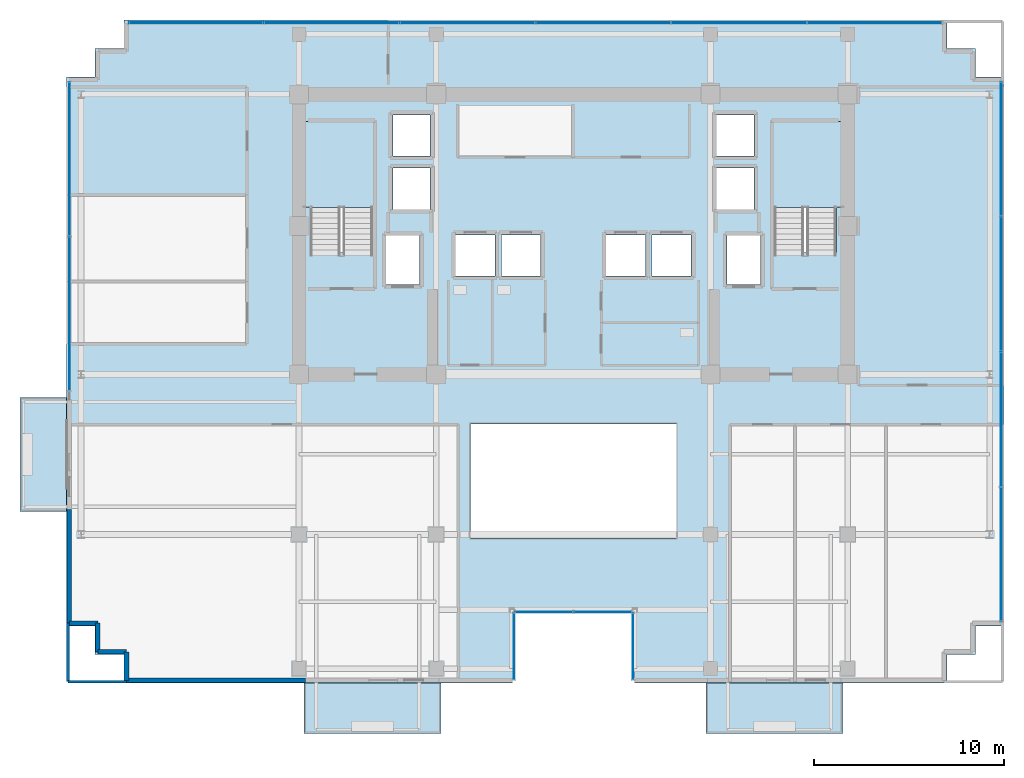
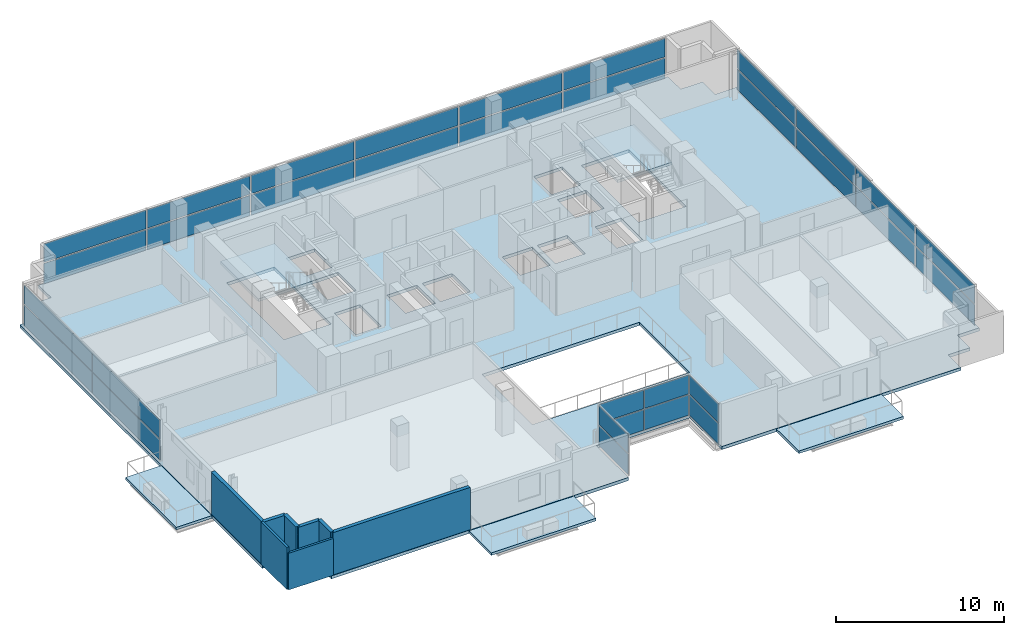
# One storey, part 13 of 21: 32 plates, 8 walls, 6 slabs, 8 elements without a shape of their own.
"""IFC4 building model written with IfcOpenShell, lengths in metres."""

import ifcopenshell
import ifcopenshell.guid

model = None  # the IFC model being written
_history = None  # IfcOwnerHistory: only IFC2X3 demands one
_inside = {}  # id of a spatial element -> (the spatial element, [elements in it])
_under = {}  # id of a project, library or spatial element -> (it, [spatial elements below it])
_declared = {}  # id of a project -> (the project, [libraries it declares])
_typed = {}  # id of a type object -> (the type object, [elements of that type])
_made_of = {}  # id of a material, layer set ... -> (it, [elements and type objects made of it])


def new_model(schema):
    """Start an empty IFC model of exactly this schema.

    Asked for "IFC4X3", IfcOpenShell would pick the latest addendum, in which some entities
    have other attributes; the version numbers below select the first issue.
    IFC2X3 requires an IfcOwnerHistory on every rooted entity: one is made here for all.
    """
    global model, _history
    if schema == "IFC4X3":
        model = ifcopenshell.file(schema_version=(4, 3, 0, 0))
    else:
        model = ifcopenshell.file(schema=schema)
    _inside.clear()
    _under.clear()
    _declared.clear()
    _typed.clear()
    _made_of.clear()
    _history = None
    if model.schema == "IFC2X3":
        org = make("IfcOrganization", Name="unknown")
        user = make(
            "IfcPersonAndOrganization",
            ThePerson=make("IfcPerson", FamilyName="unknown"),
            TheOrganization=org,
        )
        app = make(
            "IfcApplication",
            ApplicationDeveloper=org,
            Version="unknown",
            ApplicationFullName="unknown",
            ApplicationIdentifier="unknown",
        )
        _history = make(
            "IfcOwnerHistory",
            OwningUser=user,
            OwningApplication=app,
            ChangeAction="ADDED",
            CreationDate=0,
        )
    return model


def make(cls, **values):
    """One entity of the class cls with the attributes given. An attribute that is None is left unset."""
    return model.create_entity(
        cls, **{name: value for name, value in values.items() if value is not None}
    )


def rooted(cls, **values):
    """An entity with a GlobalId (a new one), such as an element, a storey or a relation."""
    return make(cls, GlobalId=ifcopenshell.guid.new(), OwnerHistory=_history, **values)


def si_unit(unit_type, name, prefix=None):
    """IfcSIUnit, for example si_unit("LENGTHUNIT", "METRE", prefix="MILLI")."""
    return make("IfcSIUnit", UnitType=unit_type, Prefix=prefix, Name=name)


def assignment(units):
    """IfcUnitAssignment: the units of a project."""
    return None if units is None else make("IfcUnitAssignment", Units=units)


def point(xyz):
    """IfcCartesianPoint."""
    return None if xyz is None else make("IfcCartesianPoint", Coordinates=xyz)


def direction(xyz):
    """IfcDirection."""
    return None if xyz is None else make("IfcDirection", DirectionRatios=xyz)


def frame(location, z_axis=None, x_axis=None):
    """IfcAxis2Placement3D, a coordinate frame: its origin and axes. An axis left out is left unset."""
    return make(
        "IfcAxis2Placement3D",
        Location=point(location),
        Axis=direction(z_axis),
        RefDirection=direction(x_axis),
    )


def frame_2d(location, x_axis=None):
    """IfcAxis2Placement2D, a coordinate frame in the plane: its origin and x axis."""
    return make(
        "IfcAxis2Placement2D", Location=point(location), RefDirection=direction(x_axis)
    )


def origin():
    """The frame at (0, 0, 0) with its axes left unset."""
    return frame((0.0, 0.0, 0.0))


def origin_2d():
    """The frame at (0, 0) in the plane with its x axis left unset."""
    return frame_2d((0.0, 0.0))


def place(relative_to, where):
    """IfcLocalPlacement: puts the frame where relative to a parent placement (None: the world)."""
    return make(
        "IfcLocalPlacement", PlacementRelTo=relative_to, RelativePlacement=where
    )


def context(
    kind, dimensions, precision=None, world=None, true_north=None, identifier=None
):
    """IfcGeometricRepresentationContext, for example the 3D "Model" context."""
    return make(
        "IfcGeometricRepresentationContext",
        ContextIdentifier=identifier,
        ContextType=kind,
        CoordinateSpaceDimension=dimensions,
        Precision=precision,
        WorldCoordinateSystem=world,
        TrueNorth=true_north,
    )


def subcontext(parent, identifier, kind, view, scale=None):
    """IfcGeometricRepresentationSubContext, for example "Body" below "Model"."""
    return make(
        "IfcGeometricRepresentationSubContext",
        ContextIdentifier=identifier,
        ContextType=kind,
        ParentContext=parent,
        TargetScale=scale,
        TargetView=view,
    )


def project(units=None, contexts=None):
    """IfcProject with its units and contexts."""
    return rooted(
        "IfcProject",
        Name="project",
        RepresentationContexts=contexts,
        UnitsInContext=assignment(units),
    )


def spatial(cls, under=None, at=None, **own):
    """A site, building, storey or space (cls), placed at a placement, below another one or the project."""
    s = rooted(cls, ObjectPlacement=at, **own)
    if under is not None:
        _under.setdefault(under.id(), (under, []))[1].append(s)
    return s


def polyline(points):
    """IfcPolyline through the points."""
    return make("IfcPolyline", Points=[point(p) for p in points])


def profile(cls, at=None, kind="AREA", **sizes):
    """A parametric profile (cls). Its sizes go by their IFC names, for example OverallWidth=200.0."""
    return make(cls, ProfileType=kind, Position=at, **sizes)


def rectangle(**sizes):
    """IfcRectangleProfileDef."""
    return profile("IfcRectangleProfileDef", **sizes)


def outline(outer, holes=None, kind="AREA"):
    """IfcArbitraryClosedProfileDef: a profile drawn as a closed curve; with holes, ...WithVoids."""
    if holes is None:
        return make("IfcArbitraryClosedProfileDef", ProfileType=kind, OuterCurve=outer)
    return make(
        "IfcArbitraryProfileDefWithVoids",
        ProfileType=kind,
        OuterCurve=outer,
        InnerCurves=holes,
    )


def extrude(swept, where, along, depth):
    """IfcExtrudedAreaSolid: the profile swept, set in the frame where, extruded along a direction by depth."""
    return make(
        "IfcExtrudedAreaSolid",
        SweptArea=swept,
        Position=where,
        ExtrudedDirection=direction(along),
        Depth=depth,
    )


def shape(context_of_items, identifier, shape_type, items):
    """IfcShapeRepresentation: the items that make up one representation, for example the "Body"."""
    return make(
        "IfcShapeRepresentation",
        ContextOfItems=context_of_items,
        RepresentationIdentifier=identifier,
        RepresentationType=shape_type,
        Items=items,
    )


def source(mapping_origin, context_of_items, identifier, shape_type, items):
    """IfcRepresentationMap: a shape defined once, which mapped items show again and again."""
    return make(
        "IfcRepresentationMap",
        MappingOrigin=mapping_origin,
        MappedRepresentation=shape(context_of_items, identifier, shape_type, items),
    )


def transform(
    local_origin,
    x_axis=None,
    y_axis=None,
    z_axis=None,
    scale=None,
    scale2=None,
    scale3=None,
    uniform=True,
):
    """IfcCartesianTransformationOperator3D, or its non-uniform kind. x_axis, y_axis, z_axis: its Axis1, 2, 3."""
    if uniform:
        return make(
            "IfcCartesianTransformationOperator3D",
            Axis1=direction(x_axis),
            Axis2=direction(y_axis),
            LocalOrigin=point(local_origin),
            Scale=scale,
            Axis3=direction(z_axis),
        )
    return make(
        "IfcCartesianTransformationOperator3DnonUniform",
        Axis1=direction(x_axis),
        Axis2=direction(y_axis),
        LocalOrigin=point(local_origin),
        Scale=scale,
        Axis3=direction(z_axis),
        Scale2=scale2,
        Scale3=scale3,
    )


def mapped(mapping_source, mapping_target):
    """IfcMappedItem: shows the shape of a source again, moved by a transform."""
    return make(
        "IfcMappedItem", MappingSource=mapping_source, MappingTarget=mapping_target
    )


def material(Name=None, Category=None):
    """IfcMaterial."""
    return make("IfcMaterial", Name=Name, Category=Category)


def layer(
    of_material, thickness, ventilated=None, Name=None, Category=None, Priority=None
):
    """IfcMaterialLayer: one layer of a wall or slab, of a material (None: an air gap)."""
    return make(
        "IfcMaterialLayer",
        Material=of_material,
        LayerThickness=thickness,
        IsVentilated=ventilated,
        Name=Name,
        Category=Category,
        Priority=Priority,
    )


def layer_set(layers, Name=None):
    """IfcMaterialLayerSet."""
    return make("IfcMaterialLayerSet", MaterialLayers=layers, LayerSetName=Name)


def made_of(thing, what):
    """Note that an element or type object is made of a material, layer set ...; save() writes the relation."""
    if what is not None:
        _made_of.setdefault(what.id(), (what, []))[1].append(thing)
    return thing


def type_object(cls, material=None, **own):
    """A type object (cls), such as IfcWallType, which elements share."""
    return made_of(rooted(cls, **own), material)


def element(
    cls,
    number,
    at=None,
    inside=None,
    cuts=None,
    type_object=None,
    material=None,
    context=None,
    identifier="Body",
    shape_type=None,
    held_by="IfcProductDefinitionShape",
    body=None,
    shapes=None,
    **own,
):
    """One element of the class cls, such as IfcWall. Its Tag is "e" and its number.

    at: its placement. inside: the storey or other place that contains it. cuts: it is an
    opening in that element (IfcRelVoidsElement). A single representation is given by context,
    identifier, shape_type and body (its items); several are given by shapes. held_by: the class
    of the entity that holds the representations. save() writes the other relations.
    """
    e = rooted(cls, Tag="e%d" % number, ObjectPlacement=at, **own)
    if body is not None:
        shapes = [shape(context, identifier, shape_type, body)]
    if shapes is not None:
        e.Representation = make(held_by, Representations=shapes)
    if inside is not None:
        _inside.setdefault(inside.id(), (inside, []))[1].append(e)
    if cuts is not None:
        rooted(
            "IfcRelVoidsElement", RelatingBuildingElement=cuts, RelatedOpeningElement=e
        )
    if type_object is not None:
        _typed.setdefault(type_object.id(), (type_object, []))[1].append(e)
    return made_of(e, material)


def aggregate(whole, parts):
    """IfcRelAggregates: a whole, such as a stair, and the parts it consists of."""
    return rooted("IfcRelAggregates", RelatingObject=whole, RelatedObjects=parts)


def save(model, path):
    """Write the relations noted so far, then the file.

    IfcRelAggregates (storeys below a building ...), IfcRelContainedInSpatialStructure (elements
    in a storey), IfcRelDefinesByType, IfcRelAssociatesMaterial and IfcRelDeclares: one each for
    every whole, place, type object, material and project.
    """
    for whole, parts in _under.values():
        aggregate(whole, parts)
    for where, things in _inside.values():
        rooted(
            "IfcRelContainedInSpatialStructure",
            RelatedElements=things,
            RelatingStructure=where,
        )
    for kind, things in _typed.values():
        rooted("IfcRelDefinesByType", RelatedObjects=things, RelatingType=kind)
    for what, things in _made_of.values():
        rooted("IfcRelAssociatesMaterial", RelatedObjects=things, RelatingMaterial=what)
    for by, libraries in _declared.values():
        rooted("IfcRelDeclares", RelatingContext=by, RelatedDefinitions=libraries)
    model.write(path)


model = new_model("IFC4")

# Units and contexts
model_context = context("Model", 3, precision=1e-05, world=origin(), true_north=direction((0.0, 1.0)))
body_context = subcontext(model_context, "Body", "Model", "MODEL_VIEW")
ifc_project = project(units=[si_unit("LENGTHUNIT", "METRE"), si_unit("AREAUNIT", "SQUARE_METRE"), si_unit("VOLUMEUNIT", "CUBIC_METRE"), si_unit("PLANEANGLEUNIT", "RADIAN"), si_unit("MASSUNIT", "GRAM", prefix="KILO")], contexts=[model_context])

# Site, building, storey
site_placement = place(None, origin())
site = spatial("IfcSite", under=ifc_project, at=site_placement, CompositionType="ELEMENT")
building_placement = place(site_placement, origin())
building = spatial("IfcBuilding", under=site, at=building_placement, Name="Zarnakvel Exchange Tower", CompositionType="ELEMENT")
storey_placement = place(building_placement, frame((0.0, 0.0, 159.39990234375)))
storey = spatial("IfcBuildingStorey", under=building, at=storey_placement, Name="L44", CompositionType="ELEMENT", Elevation=159.39990234375)

# Stair, slab
ifc_material_1 = material(Name="Concrete C40/50", Category="concrete")
stair_type = type_object("IfcStairType", Name="STR-01", PredefinedType="HALF_TURN_STAIR", material=ifc_material_1)
stair_1_placement = place(storey_placement, origin())
stair_1 = element("IfcStair", 1, at=stair_1_placement, inside=storey, type_object=stair_type, Name="L44 Protected Core Exit Stair ST-01", PredefinedType="HALF_TURN_STAIR")
ifc_layer_1 = layer(ifc_material_1, 0.199951171875)
ifc_layer_set_1 = layer_set([ifc_layer_1], Name="Concrete C40/50")
slab_type_1 = type_object("IfcSlabType", Name="LDG-01", PredefinedType="LANDING", material=ifc_layer_set_1)
slab_1_placement = place(storey_placement, frame((0.0, 0.0, 1.4501953125)))
slab_1 = element("IfcSlab", 2, at=slab_1_placement, type_object=slab_type_1, Name="ST-01 landing 1", PredefinedType="LANDING", context=body_context, shape_type="SweptSolid", body=[
    extrude(outline(polyline([(-14.18994140625, 7.570068359375), (-10.4599609375, 7.570068359375), (-10.4599609375, 12.080078125), (-14.18994140625, 12.080078125), (-14.18994140625, 7.570068359375)])), origin(), (0.0, 0.0, 1.0), 0.199951171875),
])
aggregate(stair_1, [slab_1])

stair_2_placement = place(storey_placement, origin())
stair_2 = element("IfcStair", 3, at=stair_2_placement, inside=storey, type_object=stair_type, Name="L44 Protected Core Exit Stair ST-02", PredefinedType="HALF_TURN_STAIR")
slab_2_placement = place(storey_placement, frame((0.0, 0.0, 1.4501953125)))
slab_2 = element("IfcSlab", 4, at=slab_2_placement, type_object=slab_type_1, Name="ST-02 landing 1", PredefinedType="LANDING", context=body_context, shape_type="SweptSolid", body=[
    extrude(outline(polyline([(10.4599609375, 7.570068359375), (14.18994140625, 7.570068359375), (14.18994140625, 12.080078125), (10.4599609375, 12.080078125), (10.4599609375, 7.570068359375)])), origin(), (0.0, 0.0, 1.0), 0.199951171875),
])
aggregate(stair_2, [slab_2])

# Slabs
ifc_layer_2 = layer(ifc_material_1, 0.22509765625)
ifc_layer_set_2 = layer_set([ifc_layer_2], Name="Concrete C40/50")
slab_type_2 = type_object("IfcSlabType", Name="SL-04", PredefinedType="FLOOR", material=ifc_layer_set_2)
slab_3_placement = place(storey_placement, frame((0.0, 0.0, -0.224853515625)))
element("IfcSlab", 5, at=slab_3_placement, inside=storey, type_object=slab_type_2, Name="L44 Primary Structural Floor Slab", PredefinedType="FLOOR", context=body_context, shape_type="SweptSolid", body=[
    extrude(outline(polyline([(-26.60009765625, -14.39990234375), (-25.10009765625, -14.39990234375), (-25.10009765625, -15.89990234375), (-23.60009765625, -15.89990234375), (-23.60009765625, -17.39990234375), (-3.199951171875, -17.39990234375), (-3.199951171875, -13.60009765625), (3.199951171875, -13.60009765625), (3.199951171875, -17.39990234375), (19.60009765625, -17.39990234375), (19.60009765625, -15.89990234375), (21.10009765625, -15.89990234375), (21.10009765625, -14.39990234375), (22.60009765625, -14.39990234375), (22.60009765625, 14.39990234375), (21.10009765625, 14.39990234375), (21.10009765625, 15.89990234375), (19.60009765625, 15.89990234375), (19.60009765625, 17.39990234375), (-23.60009765625, 17.39990234375), (-23.60009765625, 15.89990234375), (-25.10009765625, 15.89990234375), (-25.10009765625, 14.39990234375), (-26.60009765625, 14.39990234375), (-26.60009765625, -14.39990234375)]), holes=[polyline([(-5.39990234375, -9.800048828125), (5.39990234375, -9.800048828125), (5.39990234375, -3.800048828125), (-5.39990234375, -3.800048828125), (-5.39990234375, -9.800048828125)]), polyline([(-13.800048828125, 5.2099609375), (-10.5400390625, 5.2099609375), (-10.5400390625, 12.0), (-13.800048828125, 12.0), (-13.800048828125, 5.2099609375)]), polyline([(10.5400390625, 5.2099609375), (13.800048828125, 5.2099609375), (13.800048828125, 12.0), (10.5400390625, 12.0), (10.5400390625, 5.2099609375)]), polyline([(-9.830078125, 3.52001953125), (-8.070068359375, 3.52001953125), (-8.070068359375, 6.080078125), (-9.830078125, 6.080078125), (-9.830078125, 3.52001953125)]), polyline([(8.070068359375, 3.52001953125), (9.830078125, 3.52001953125), (9.830078125, 6.080078125), (8.070068359375, 6.080078125), (8.070068359375, 3.52001953125)]), polyline([(-6.179931640625, 3.969970703125), (-4.1201171875, 3.969970703125), (-4.1201171875, 6.1298828125), (-6.179931640625, 6.1298828125), (-6.179931640625, 3.969970703125)]), polyline([(-3.780029296875, 3.969970703125), (-1.719970703125, 3.969970703125), (-1.719970703125, 6.1298828125), (-3.780029296875, 6.1298828125), (-3.780029296875, 3.969970703125)]), polyline([(1.719970703125, 3.969970703125), (3.780029296875, 3.969970703125), (3.780029296875, 6.1298828125), (1.719970703125, 6.1298828125), (1.719970703125, 3.969970703125)]), polyline([(4.1201171875, 3.969970703125), (6.179931640625, 3.969970703125), (6.179931640625, 6.1298828125), (4.1201171875, 6.1298828125), (4.1201171875, 3.969970703125)]), polyline([(-9.47998046875, 7.469970703125), (-7.52001953125, 7.469970703125), (-7.52001953125, 9.6298828125), (-9.47998046875, 9.6298828125), (-9.47998046875, 7.469970703125)]), polyline([(-9.47998046875, 10.27001953125), (-7.52001953125, 10.27001953125), (-7.52001953125, 12.429931640625), (-9.47998046875, 12.429931640625), (-9.47998046875, 10.27001953125)]), polyline([(7.52001953125, 7.469970703125), (9.47998046875, 7.469970703125), (9.47998046875, 9.6298828125), (7.52001953125, 9.6298828125), (7.52001953125, 7.469970703125)]), polyline([(7.52001953125, 10.27001953125), (9.47998046875, 10.27001953125), (9.47998046875, 12.429931640625), (7.52001953125, 12.429931640625), (7.52001953125, 10.27001953125)])]), origin(), (0.0, 0.0, 1.0), 0.224853515625),
])
ifc_layer_3 = layer(ifc_material_1, 0.18994140625)
ifc_layer_set_3 = layer_set([ifc_layer_3], Name="Concrete C40/50")
slab_type_3 = type_object("IfcSlabType", Name="SL-08", PredefinedType="USERDEFINED", material=ifc_layer_set_3)
slab_4_placement = place(storey_placement, frame((0.0, 0.0, -0.224853515625)))
element("IfcSlab", 6, at=slab_4_placement, inside=storey, type_object=slab_type_3, Name="L44 Planted Loggia Balcony Slab BAL-L44-SW", ObjectType="BALCONY", PredefinedType="USERDEFINED", context=body_context, shape_type="SweptSolid", body=[
    extrude(outline(polyline([(-14.14990234375, -20.050048828125), (-6.949951171875, -20.050048828125), (-6.949951171875, -17.39990234375), (-14.14990234375, -17.39990234375), (-14.14990234375, -20.050048828125)])), origin(), (0.0, 0.0, 1.0), 0.18994140625),
])
slab_5_placement = place(storey_placement, frame((0.0, 0.0, -0.224853515625)))
element("IfcSlab", 7, at=slab_5_placement, inside=storey, type_object=slab_type_3, Name="L44 Planted Loggia Balcony Slab BAL-L44-SE", ObjectType="BALCONY", PredefinedType="USERDEFINED", context=body_context, shape_type="SweptSolid", body=[
    extrude(outline(polyline([(6.949951171875, -20.050048828125), (14.14990234375, -20.050048828125), (14.14990234375, -17.39990234375), (6.949951171875, -17.39990234375), (6.949951171875, -20.050048828125)])), origin(), (0.0, 0.0, 1.0), 0.18994140625),
])
slab_6_placement = place(storey_placement, frame((0.0, 0.0, -0.224853515625)))
element("IfcSlab", 8, at=slab_6_placement, inside=storey, type_object=slab_type_3, Name="L44 Planted Loggia Balcony Slab BAL-L44-W", ObjectType="BALCONY", PredefinedType="USERDEFINED", context=body_context, shape_type="SweptSolid", body=[
    extrude(outline(polyline([(-29.050048828125, -8.39990234375), (-26.60009765625, -8.39990234375), (-26.60009765625, -2.39990234375), (-29.050048828125, -2.39990234375), (-29.050048828125, -8.39990234375)])), origin(), (0.0, 0.0, 1.0), 0.18994140625),
])

# Curtain wall, plate
ifc_material_2 = material(Name="Architectural Bronze Anodised Aluminium", Category="aluminium")
ifc_layer_4 = layer(ifc_material_2, 0.179931640625)
ifc_layer_set_4 = layer_set([ifc_layer_4], Name="Architectural Bronze Anodised Aluminium")
curtain_wall_type_1 = type_object("IfcCurtainWallType", Name="CW-05", PredefinedType="NOTDEFINED", material=ifc_layer_set_4)
curtain_wall_1_placement = place(storey_placement, origin())
curtain_wall_1 = element("IfcCurtainWall", 9, at=curtain_wall_1_placement, inside=storey, type_object=curtain_wall_type_1, Name="L44 Curtain Wall CW-L44-SLW (CW-05)", PredefinedType="NOTDEFINED")
ifc_material_3 = material(Name="Double Low-E Laminated Vision Glass", Category="glass")
ifc_layer_5 = layer(ifc_material_3, 0.02587890625)
ifc_layer_set_5 = layer_set([ifc_layer_5], Name="Double Low-E Laminated Vision Glass")
plate_type_1 = type_object("IfcPlateType", Name="CWP-05", PredefinedType="CURTAIN_PANEL", material=ifc_layer_set_5)
shared_shape_1 = source(origin(), body_context, "Body", "SweptSolid", [
    extrude(rectangle(XDim=3.4599609375, YDim=0.02587890625, at=origin_2d()), origin(), (0.0, 0.0, 1.0), 1.483642578125),
])
plate_1_placement = place(storey_placement, frame((-3.1201171875, -15.47998046875, 0.0703125), z_axis=(0.0, 0.0, 1.0), x_axis=(0.0, 1.0, 0.0)))
plate_1 = element("IfcPlate", 10, at=plate_1_placement, type_object=plate_type_1, Name="CW-05 panel 1.1", PredefinedType="CURTAIN_PANEL", context=body_context, shape_type="MappedRepresentation", body=[
    mapped(shared_shape_1, transform((0.0, 0.0, 0.0), x_axis=(1.0, 0.0, 0.0), y_axis=(0.0, 1.0, 0.0), z_axis=(0.0, 0.0, 1.0), scale=1.0)),
])

curtain_wall_2_placement = place(storey_placement, origin())
curtain_wall_2 = element("IfcCurtainWall", 11, at=curtain_wall_2_placement, inside=storey, type_object=curtain_wall_type_1, Name="L44 Curtain Wall CW-L44-SLE (CW-05)", PredefinedType="NOTDEFINED")
plate_2_placement = place(storey_placement, frame((3.1201171875, -15.47998046875, 0.0703125), z_axis=(0.0, 0.0, 1.0), x_axis=(0.0, -1.0, 0.0)))
plate_2 = element("IfcPlate", 12, at=plate_2_placement, type_object=plate_type_1, Name="CW-05 panel 1.1", PredefinedType="CURTAIN_PANEL", context=body_context, shape_type="MappedRepresentation", body=[
    mapped(shared_shape_1, transform((0.0, 0.0, 0.0), x_axis=(1.0, 0.0, 0.0), y_axis=(0.0, 1.0, 0.0), z_axis=(0.0, 0.0, 1.0), scale=1.0)),
])

# Plate
shared_shape_2 = source(origin(), body_context, "Body", "SweptSolid", [
    extrude(rectangle(XDim=3.4599609375, YDim=0.02587890625, at=origin_2d()), origin(), (0.0, 0.0, 1.0), 1.361328125),
])
plate_3_placement = place(storey_placement, frame((-3.1201171875, -15.47998046875, 1.623779296875), z_axis=(0.0, 0.0, 1.0), x_axis=(0.0, 1.0, 0.0)))
plate_3 = element("IfcPlate", 13, at=plate_3_placement, type_object=plate_type_1, Name="CW-05 panel 1.2", PredefinedType="CURTAIN_PANEL", context=body_context, shape_type="MappedRepresentation", body=[
    mapped(shared_shape_2, transform((0.0, 0.0, 0.0), x_axis=(1.0, 0.0, 0.0), y_axis=(0.0, 1.0, 0.0), z_axis=(0.0, 0.0, 1.0), scale=1.0)),
])

aggregate(curtain_wall_1, [plate_1, plate_3])

plate_4_placement = place(storey_placement, frame((3.1201171875, -15.47998046875, 1.623779296875), z_axis=(0.0, 0.0, 1.0), x_axis=(0.0, -1.0, 0.0)))
plate_4 = element("IfcPlate", 14, at=plate_4_placement, type_object=plate_type_1, Name="CW-05 panel 1.2", PredefinedType="CURTAIN_PANEL", context=body_context, shape_type="MappedRepresentation", body=[
    mapped(shared_shape_2, transform((0.0, 0.0, 0.0), x_axis=(1.0, 0.0, 0.0), y_axis=(0.0, 1.0, 0.0), z_axis=(0.0, 0.0, 1.0), scale=1.0)),
])

aggregate(curtain_wall_2, [plate_2, plate_4])

# Curtain wall, plates
curtain_wall_3_placement = place(storey_placement, origin())
curtain_wall_3 = element("IfcCurtainWall", 15, at=curtain_wall_3_placement, inside=storey, type_object=curtain_wall_type_1, Name="L44 Curtain Wall CW-L44-SLB (CW-05)", PredefinedType="NOTDEFINED")
shared_shape_3 = source(origin(), body_context, "Body", "SweptSolid", [
    extrude(rectangle(XDim=3.014892578125, YDim=0.02587890625, at=origin_2d()), origin(), (0.0, 0.0, 1.0), 1.483642578125),
])
plate_5_placement = place(storey_placement, frame((-1.54248046875, -13.679931640625, 0.0703125), z_axis=(0.0, 0.0, 1.0), x_axis=(1.0, 0.0, 0.0)))
plate_5 = element("IfcPlate", 16, at=plate_5_placement, type_object=plate_type_1, Name="CW-05 panel 1.1", PredefinedType="CURTAIN_PANEL", context=body_context, shape_type="MappedRepresentation", body=[
    mapped(shared_shape_3, transform((0.0, 0.0, 0.0), x_axis=(1.0, 0.0, 0.0), y_axis=(0.0, 1.0, 0.0), z_axis=(0.0, 0.0, 1.0), scale=1.0)),
])
plate_6_placement = place(storey_placement, frame((1.54248046875, -13.679931640625, 0.0703125), z_axis=(0.0, 0.0, 1.0), x_axis=(1.0, 0.0, 0.0)))
plate_6 = element("IfcPlate", 17, at=plate_6_placement, type_object=plate_type_1, Name="CW-05 panel 2.1", PredefinedType="CURTAIN_PANEL", context=body_context, shape_type="MappedRepresentation", body=[
    mapped(shared_shape_3, transform((0.0, 0.0, 0.0), x_axis=(1.0, 0.0, 0.0), y_axis=(0.0, 1.0, 0.0), z_axis=(0.0, 0.0, 1.0), scale=1.0)),
])
shared_shape_4 = source(origin(), body_context, "Body", "SweptSolid", [
    extrude(rectangle(XDim=3.014892578125, YDim=0.02587890625, at=origin_2d()), origin(), (0.0, 0.0, 1.0), 1.361328125),
])
plate_7_placement = place(storey_placement, frame((-1.54248046875, -13.679931640625, 1.623779296875), z_axis=(0.0, 0.0, 1.0), x_axis=(1.0, 0.0, 0.0)))
plate_7 = element("IfcPlate", 18, at=plate_7_placement, type_object=plate_type_1, Name="CW-05 panel 1.2", PredefinedType="CURTAIN_PANEL", context=body_context, shape_type="MappedRepresentation", body=[
    mapped(shared_shape_4, transform((0.0, 0.0, 0.0), x_axis=(1.0, 0.0, 0.0), y_axis=(0.0, 1.0, 0.0), z_axis=(0.0, 0.0, 1.0), scale=1.0)),
])
plate_8_placement = place(storey_placement, frame((1.54248046875, -13.679931640625, 1.623779296875), z_axis=(0.0, 0.0, 1.0), x_axis=(1.0, 0.0, 0.0)))
plate_8 = element("IfcPlate", 19, at=plate_8_placement, type_object=plate_type_1, Name="CW-05 panel 2.2", PredefinedType="CURTAIN_PANEL", context=body_context, shape_type="MappedRepresentation", body=[
    mapped(shared_shape_4, transform((0.0, 0.0, 0.0), x_axis=(1.0, 0.0, 0.0), y_axis=(0.0, 1.0, 0.0), z_axis=(0.0, 0.0, 1.0), scale=1.0)),
])
aggregate(curtain_wall_3, [plate_5, plate_7, plate_6, plate_8])

ifc_layer_6 = layer(ifc_material_2, 0.219970703125)
ifc_layer_set_6 = layer_set([ifc_layer_6], Name="Architectural Bronze Anodised Aluminium")
curtain_wall_type_2 = type_object("IfcCurtainWallType", Name="CW-03", PredefinedType="NOTDEFINED", material=ifc_layer_set_6)
curtain_wall_4_placement = place(storey_placement, origin())
curtain_wall_4 = element("IfcCurtainWall", 20, at=curtain_wall_4_placement, inside=storey, type_object=curtain_wall_type_2, Name="L44 Curtain Wall CW-L44-N1 (CW-03)", PredefinedType="NOTDEFINED")
ifc_layer_7 = layer(ifc_material_3, 0.030029296875)
ifc_layer_set_7 = layer_set([ifc_layer_7], Name="Double Low-E Laminated Vision Glass")
plate_type_2 = type_object("IfcPlateType", Name="CWP-03", PredefinedType="CURTAIN_PANEL", material=ifc_layer_set_7)
shared_shape_5 = source(origin(), body_context, "Body", "SweptSolid", [
    extrude(rectangle(XDim=7.013427734375, YDim=0.030029296875, at=origin_2d()), origin(), (0.0, 0.0, 1.0), 1.468505859375),
])
plate_9_placement = place(storey_placement, frame((-19.813232421875, 17.260009765625, 0.080078125), z_axis=(0.0, 0.0, 1.0), x_axis=(1.0, 0.0, 0.0)))
plate_9 = element("IfcPlate", 21, at=plate_9_placement, type_object=plate_type_2, Name="CW-03 panel 1.1", PredefinedType="CURTAIN_PANEL", context=body_context, shape_type="MappedRepresentation", body=[
    mapped(shared_shape_5, transform((0.0, 0.0, 0.0), x_axis=(1.0, 0.0, 0.0), y_axis=(0.0, 1.0, 0.0), z_axis=(0.0, 0.0, 1.0), scale=1.0)),
])
plate_10_placement = place(storey_placement, frame((15.813232421875, 17.260009765625, 0.080078125), z_axis=(0.0, 0.0, 1.0), x_axis=(1.0, 0.0, 0.0)))
plate_10 = element("IfcPlate", 22, at=plate_10_placement, type_object=plate_type_2, Name="CW-03 panel 6.1", PredefinedType="CURTAIN_PANEL", context=body_context, shape_type="MappedRepresentation", body=[
    mapped(shared_shape_5, transform((0.0, 0.0, 0.0), x_axis=(1.0, 0.0, 0.0), y_axis=(0.0, 1.0, 0.0), z_axis=(0.0, 0.0, 1.0), scale=1.0)),
])
shared_shape_6 = source(origin(), body_context, "Body", "SweptSolid", [
    extrude(rectangle(XDim=7.013427734375, YDim=0.030029296875, at=origin_2d()), origin(), (0.0, 0.0, 1.0), 1.346435546875),
])
plate_11_placement = place(storey_placement, frame((-19.813232421875, 17.260009765625, 1.62890625), z_axis=(0.0, 0.0, 1.0), x_axis=(1.0, 0.0, 0.0)))
plate_11 = element("IfcPlate", 23, at=plate_11_placement, type_object=plate_type_2, Name="CW-03 panel 1.2", PredefinedType="CURTAIN_PANEL", context=body_context, shape_type="MappedRepresentation", body=[
    mapped(shared_shape_6, transform((0.0, 0.0, 0.0), x_axis=(1.0, 0.0, 0.0), y_axis=(0.0, 1.0, 0.0), z_axis=(0.0, 0.0, 1.0), scale=1.0)),
])
plate_12_placement = place(storey_placement, frame((15.813232421875, 17.260009765625, 1.62890625), z_axis=(0.0, 0.0, 1.0), x_axis=(1.0, 0.0, 0.0)))
plate_12 = element("IfcPlate", 24, at=plate_12_placement, type_object=plate_type_2, Name="CW-03 panel 6.2", PredefinedType="CURTAIN_PANEL", context=body_context, shape_type="MappedRepresentation", body=[
    mapped(shared_shape_6, transform((0.0, 0.0, 0.0), x_axis=(1.0, 0.0, 0.0), y_axis=(0.0, 1.0, 0.0), z_axis=(0.0, 0.0, 1.0), scale=1.0)),
])
shared_shape_7 = source(origin(), body_context, "Body", "SweptSolid", [
    extrude(rectangle(XDim=7.05322265625, YDim=0.030029296875, at=origin_2d()), origin(), (0.0, 0.0, 1.0), 1.468505859375),
])
plate_13_placement = place(storey_placement, frame((-12.699951171875, 17.260009765625, 0.080078125), z_axis=(0.0, 0.0, 1.0), x_axis=(1.0, 0.0, 0.0)))
plate_13 = element("IfcPlate", 25, at=plate_13_placement, type_object=plate_type_2, Name="CW-03 panel 2.1", PredefinedType="CURTAIN_PANEL", context=body_context, shape_type="MappedRepresentation", body=[
    mapped(shared_shape_7, transform((0.0, 0.0, 0.0), x_axis=(1.0, 0.0, 0.0), y_axis=(0.0, 1.0, 0.0), z_axis=(0.0, 0.0, 1.0), scale=1.0)),
])
plate_14_placement = place(storey_placement, frame((-5.566650390625, 17.260009765625, 0.080078125), z_axis=(0.0, 0.0, 1.0), x_axis=(1.0, 0.0, 0.0)))
plate_14 = element("IfcPlate", 26, at=plate_14_placement, type_object=plate_type_2, Name="CW-03 panel 3.1", PredefinedType="CURTAIN_PANEL", context=body_context, shape_type="MappedRepresentation", body=[
    mapped(shared_shape_7, transform((0.0, 0.0, 0.0), x_axis=(1.0, 0.0, 0.0), y_axis=(0.0, 1.0, 0.0), z_axis=(0.0, 0.0, 1.0), scale=1.0)),
])
plate_15_placement = place(storey_placement, frame((1.566650390625, 17.260009765625, 0.080078125), z_axis=(0.0, 0.0, 1.0), x_axis=(1.0, 0.0, 0.0)))
plate_15 = element("IfcPlate", 27, at=plate_15_placement, type_object=plate_type_2, Name="CW-03 panel 4.1", PredefinedType="CURTAIN_PANEL", context=body_context, shape_type="MappedRepresentation", body=[
    mapped(shared_shape_7, transform((0.0, 0.0, 0.0), x_axis=(1.0, 0.0, 0.0), y_axis=(0.0, 1.0, 0.0), z_axis=(0.0, 0.0, 1.0), scale=1.0)),
])
plate_16_placement = place(storey_placement, frame((8.699951171875, 17.260009765625, 0.080078125), z_axis=(0.0, 0.0, 1.0), x_axis=(1.0, 0.0, 0.0)))
plate_16 = element("IfcPlate", 28, at=plate_16_placement, type_object=plate_type_2, Name="CW-03 panel 5.1", PredefinedType="CURTAIN_PANEL", context=body_context, shape_type="MappedRepresentation", body=[
    mapped(shared_shape_7, transform((0.0, 0.0, 0.0), x_axis=(1.0, 0.0, 0.0), y_axis=(0.0, 1.0, 0.0), z_axis=(0.0, 0.0, 1.0), scale=1.0)),
])
shared_shape_8 = source(origin(), body_context, "Body", "SweptSolid", [
    extrude(rectangle(XDim=7.05322265625, YDim=0.030029296875, at=origin_2d()), origin(), (0.0, 0.0, 1.0), 1.346435546875),
])
plate_17_placement = place(storey_placement, frame((-12.699951171875, 17.260009765625, 1.62890625), z_axis=(0.0, 0.0, 1.0), x_axis=(1.0, 0.0, 0.0)))
plate_17 = element("IfcPlate", 29, at=plate_17_placement, type_object=plate_type_2, Name="CW-03 panel 2.2", PredefinedType="CURTAIN_PANEL", context=body_context, shape_type="MappedRepresentation", body=[
    mapped(shared_shape_8, transform((0.0, 0.0, 0.0), x_axis=(1.0, 0.0, 0.0), y_axis=(0.0, 1.0, 0.0), z_axis=(0.0, 0.0, 1.0), scale=1.0)),
])
plate_18_placement = place(storey_placement, frame((-5.566650390625, 17.260009765625, 1.62890625), z_axis=(0.0, 0.0, 1.0), x_axis=(1.0, 0.0, 0.0)))
plate_18 = element("IfcPlate", 30, at=plate_18_placement, type_object=plate_type_2, Name="CW-03 panel 3.2", PredefinedType="CURTAIN_PANEL", context=body_context, shape_type="MappedRepresentation", body=[
    mapped(shared_shape_8, transform((0.0, 0.0, 0.0), x_axis=(1.0, 0.0, 0.0), y_axis=(0.0, 1.0, 0.0), z_axis=(0.0, 0.0, 1.0), scale=1.0)),
])
plate_19_placement = place(storey_placement, frame((1.566650390625, 17.260009765625, 1.62890625), z_axis=(0.0, 0.0, 1.0), x_axis=(1.0, 0.0, 0.0)))
plate_19 = element("IfcPlate", 31, at=plate_19_placement, type_object=plate_type_2, Name="CW-03 panel 4.2", PredefinedType="CURTAIN_PANEL", context=body_context, shape_type="MappedRepresentation", body=[
    mapped(shared_shape_8, transform((0.0, 0.0, 0.0), x_axis=(1.0, 0.0, 0.0), y_axis=(0.0, 1.0, 0.0), z_axis=(0.0, 0.0, 1.0), scale=1.0)),
])
plate_20_placement = place(storey_placement, frame((8.699951171875, 17.260009765625, 1.62890625), z_axis=(0.0, 0.0, 1.0), x_axis=(1.0, 0.0, 0.0)))
plate_20 = element("IfcPlate", 32, at=plate_20_placement, type_object=plate_type_2, Name="CW-03 panel 5.2", PredefinedType="CURTAIN_PANEL", context=body_context, shape_type="MappedRepresentation", body=[
    mapped(shared_shape_8, transform((0.0, 0.0, 0.0), x_axis=(1.0, 0.0, 0.0), y_axis=(0.0, 1.0, 0.0), z_axis=(0.0, 0.0, 1.0), scale=1.0)),
])
aggregate(curtain_wall_4, [plate_9, plate_11, plate_13, plate_17, plate_14, plate_18, plate_15, plate_19, plate_16, plate_20, plate_10, plate_12])

ifc_layer_8 = layer(ifc_material_2, 0.199951171875)
ifc_layer_set_8 = layer_set([ifc_layer_8], Name="Architectural Bronze Anodised Aluminium")
curtain_wall_type_3 = type_object("IfcCurtainWallType", Name="CW-04", PredefinedType="NOTDEFINED", material=ifc_layer_set_8)
curtain_wall_5_placement = place(storey_placement, origin())
curtain_wall_5 = element("IfcCurtainWall", 33, at=curtain_wall_5_placement, inside=storey, type_object=curtain_wall_type_3, Name="L44 Curtain Wall CW-L44-WN (CW-04)", PredefinedType="NOTDEFINED")
ifc_layer_9 = layer(ifc_material_3, 0.028076171875)
ifc_layer_set_9 = layer_set([ifc_layer_9], Name="Double Low-E Laminated Vision Glass")
plate_type_3 = type_object("IfcPlateType", Name="CWP-04", PredefinedType="CURTAIN_PANEL", material=ifc_layer_set_9)
shared_shape_9 = source(origin(), body_context, "Body", "SweptSolid", [
    extrude(rectangle(XDim=8.03759765625, YDim=0.028076171875, at=origin_2d()), origin(), (0.0, 0.0, 1.0), 1.47607421875),
])
plate_21_placement = place(storey_placement, frame((-26.4599609375, 1.99365234375, 0.0751953125), z_axis=(0.0, 0.0, 1.0), x_axis=(0.0, 1.0, 0.0)))
plate_21 = element("IfcPlate", 34, at=plate_21_placement, type_object=plate_type_3, Name="CW-04 panel 1.1", PredefinedType="CURTAIN_PANEL", context=body_context, shape_type="MappedRepresentation", body=[
    mapped(shared_shape_9, transform((0.0, 0.0, 0.0), x_axis=(1.0, 0.0, 0.0), y_axis=(0.0, 1.0, 0.0), z_axis=(0.0, 0.0, 1.0), scale=1.0)),
])
plate_22_placement = place(storey_placement, frame((-26.4599609375, 10.106201171875, 0.0751953125), z_axis=(0.0, 0.0, 1.0), x_axis=(0.0, 1.0, 0.0)))
plate_22 = element("IfcPlate", 35, at=plate_22_placement, type_object=plate_type_3, Name="CW-04 panel 2.1", PredefinedType="CURTAIN_PANEL", context=body_context, shape_type="MappedRepresentation", body=[
    mapped(shared_shape_9, transform((0.0, 0.0, 0.0), x_axis=(1.0, 0.0, 0.0), y_axis=(0.0, 1.0, 0.0), z_axis=(0.0, 0.0, 1.0), scale=1.0)),
])
shared_shape_10 = source(origin(), body_context, "Body", "SweptSolid", [
    extrude(rectangle(XDim=8.03759765625, YDim=0.028076171875, at=origin_2d()), origin(), (0.0, 0.0, 1.0), 1.35400390625),
])
plate_23_placement = place(storey_placement, frame((-26.4599609375, 1.99365234375, 1.626220703125), z_axis=(0.0, 0.0, 1.0), x_axis=(0.0, 1.0, 0.0)))
plate_23 = element("IfcPlate", 36, at=plate_23_placement, type_object=plate_type_3, Name="CW-04 panel 1.2", PredefinedType="CURTAIN_PANEL", context=body_context, shape_type="MappedRepresentation", body=[
    mapped(shared_shape_10, transform((0.0, 0.0, 0.0), x_axis=(1.0, 0.0, 0.0), y_axis=(0.0, 1.0, 0.0), z_axis=(0.0, 0.0, 1.0), scale=1.0)),
])
plate_24_placement = place(storey_placement, frame((-26.4599609375, 10.106201171875, 1.626220703125), z_axis=(0.0, 0.0, 1.0), x_axis=(0.0, 1.0, 0.0)))
plate_24 = element("IfcPlate", 37, at=plate_24_placement, type_object=plate_type_3, Name="CW-04 panel 2.2", PredefinedType="CURTAIN_PANEL", context=body_context, shape_type="MappedRepresentation", body=[
    mapped(shared_shape_10, transform((0.0, 0.0, 0.0), x_axis=(1.0, 0.0, 0.0), y_axis=(0.0, 1.0, 0.0), z_axis=(0.0, 0.0, 1.0), scale=1.0)),
])
aggregate(curtain_wall_5, [plate_21, plate_23, plate_22, plate_24])

curtain_wall_6_placement = place(storey_placement, origin())
curtain_wall_6 = element("IfcCurtainWall", 38, at=curtain_wall_6_placement, inside=storey, type_object=curtain_wall_type_3, Name="L44 Curtain Wall CW-L44-E1 (CW-04)", PredefinedType="NOTDEFINED")
shared_shape_11 = source(origin(), body_context, "Body", "SweptSolid", [
    extrude(rectangle(XDim=6.987548828125, YDim=0.028076171875, at=origin_2d()), origin(), (0.0, 0.0, 1.0), 1.47607421875),
])
plate_25_placement = place(storey_placement, frame((22.4599609375, -10.63134765625, 0.0751953125), z_axis=(0.0, 0.0, 1.0), x_axis=(0.0, 1.0, 0.0)))
plate_25 = element("IfcPlate", 39, at=plate_25_placement, type_object=plate_type_3, Name="CW-04 panel 1.1", PredefinedType="CURTAIN_PANEL", context=body_context, shape_type="MappedRepresentation", body=[
    mapped(shared_shape_11, transform((0.0, 0.0, 0.0), x_axis=(1.0, 0.0, 0.0), y_axis=(0.0, 1.0, 0.0), z_axis=(0.0, 0.0, 1.0), scale=1.0)),
])
plate_26_placement = place(storey_placement, frame((22.4599609375, 10.63134765625, 0.0751953125), z_axis=(0.0, 0.0, 1.0), x_axis=(0.0, 1.0, 0.0)))
plate_26 = element("IfcPlate", 40, at=plate_26_placement, type_object=plate_type_3, Name="CW-04 panel 4.1", PredefinedType="CURTAIN_PANEL", context=body_context, shape_type="MappedRepresentation", body=[
    mapped(shared_shape_11, transform((0.0, 0.0, 0.0), x_axis=(1.0, 0.0, 0.0), y_axis=(0.0, 1.0, 0.0), z_axis=(0.0, 0.0, 1.0), scale=1.0)),
])
shared_shape_12 = source(origin(), body_context, "Body", "SweptSolid", [
    extrude(rectangle(XDim=6.987548828125, YDim=0.028076171875, at=origin_2d()), origin(), (0.0, 0.0, 1.0), 1.35400390625),
])
plate_27_placement = place(storey_placement, frame((22.4599609375, -10.63134765625, 1.626220703125), z_axis=(0.0, 0.0, 1.0), x_axis=(0.0, 1.0, 0.0)))
plate_27 = element("IfcPlate", 41, at=plate_27_placement, type_object=plate_type_3, Name="CW-04 panel 1.2", PredefinedType="CURTAIN_PANEL", context=body_context, shape_type="MappedRepresentation", body=[
    mapped(shared_shape_12, transform((0.0, 0.0, 0.0), x_axis=(1.0, 0.0, 0.0), y_axis=(0.0, 1.0, 0.0), z_axis=(0.0, 0.0, 1.0), scale=1.0)),
])
plate_28_placement = place(storey_placement, frame((22.4599609375, 10.63134765625, 1.626220703125), z_axis=(0.0, 0.0, 1.0), x_axis=(0.0, 1.0, 0.0)))
plate_28 = element("IfcPlate", 42, at=plate_28_placement, type_object=plate_type_3, Name="CW-04 panel 4.2", PredefinedType="CURTAIN_PANEL", context=body_context, shape_type="MappedRepresentation", body=[
    mapped(shared_shape_12, transform((0.0, 0.0, 0.0), x_axis=(1.0, 0.0, 0.0), y_axis=(0.0, 1.0, 0.0), z_axis=(0.0, 0.0, 1.0), scale=1.0)),
])
shared_shape_13 = source(origin(), body_context, "Body", "SweptSolid", [
    extrude(rectangle(XDim=7.02490234375, YDim=0.028076171875, at=origin_2d()), origin(), (0.0, 0.0, 1.0), 1.47607421875),
])
plate_29_placement = place(storey_placement, frame((22.4599609375, -3.550048828125, 0.0751953125), z_axis=(0.0, 0.0, 1.0), x_axis=(0.0, 1.0, 0.0)))
plate_29 = element("IfcPlate", 43, at=plate_29_placement, type_object=plate_type_3, Name="CW-04 panel 2.1", PredefinedType="CURTAIN_PANEL", context=body_context, shape_type="MappedRepresentation", body=[
    mapped(shared_shape_13, transform((0.0, 0.0, 0.0), x_axis=(1.0, 0.0, 0.0), y_axis=(0.0, 1.0, 0.0), z_axis=(0.0, 0.0, 1.0), scale=1.0)),
])
plate_30_placement = place(storey_placement, frame((22.4599609375, 3.550048828125, 0.0751953125), z_axis=(0.0, 0.0, 1.0), x_axis=(0.0, 1.0, 0.0)))
plate_30 = element("IfcPlate", 44, at=plate_30_placement, type_object=plate_type_3, Name="CW-04 panel 3.1", PredefinedType="CURTAIN_PANEL", context=body_context, shape_type="MappedRepresentation", body=[
    mapped(shared_shape_13, transform((0.0, 0.0, 0.0), x_axis=(1.0, 0.0, 0.0), y_axis=(0.0, 1.0, 0.0), z_axis=(0.0, 0.0, 1.0), scale=1.0)),
])
shared_shape_14 = source(origin(), body_context, "Body", "SweptSolid", [
    extrude(rectangle(XDim=7.02490234375, YDim=0.028076171875, at=origin_2d()), origin(), (0.0, 0.0, 1.0), 1.35400390625),
])
plate_31_placement = place(storey_placement, frame((22.4599609375, -3.550048828125, 1.626220703125), z_axis=(0.0, 0.0, 1.0), x_axis=(0.0, 1.0, 0.0)))
plate_31 = element("IfcPlate", 45, at=plate_31_placement, type_object=plate_type_3, Name="CW-04 panel 2.2", PredefinedType="CURTAIN_PANEL", context=body_context, shape_type="MappedRepresentation", body=[
    mapped(shared_shape_14, transform((0.0, 0.0, 0.0), x_axis=(1.0, 0.0, 0.0), y_axis=(0.0, 1.0, 0.0), z_axis=(0.0, 0.0, 1.0), scale=1.0)),
])
plate_32_placement = place(storey_placement, frame((22.4599609375, 3.550048828125, 1.626220703125), z_axis=(0.0, 0.0, 1.0), x_axis=(0.0, 1.0, 0.0)))
plate_32 = element("IfcPlate", 46, at=plate_32_placement, type_object=plate_type_3, Name="CW-04 panel 3.2", PredefinedType="CURTAIN_PANEL", context=body_context, shape_type="MappedRepresentation", body=[
    mapped(shared_shape_14, transform((0.0, 0.0, 0.0), x_axis=(1.0, 0.0, 0.0), y_axis=(0.0, 1.0, 0.0), z_axis=(0.0, 0.0, 1.0), scale=1.0)),
])
aggregate(curtain_wall_6, [plate_25, plate_27, plate_29, plate_31, plate_30, plate_32, plate_26, plate_28])

# Walls
ifc_material_4 = material(Name="Precast concrete C40/50", Category="concrete")
ifc_layer_10 = layer(ifc_material_4, 0.239990234375)
ifc_layer_set_10 = layer_set([ifc_layer_10], Name="Precast concrete C40/50")
wall_type_1 = type_object("IfcWallType", Name="EW-02", PredefinedType="SOLIDWALL", material=ifc_layer_set_10)
wall_1_placement = place(storey_placement, frame((-26.4599609375, -8.300048828125, 0.0), z_axis=(0.0, 0.0, 1.0), x_axis=(0.0, -1.0, 0.0)))
element("IfcWall", 47, at=wall_1_placement, inside=storey, type_object=wall_type_1, Name="L44 Exterior Precast Spandrel Wall EWC-L44-01 (EW-02)", PredefinedType="SOLIDWALL", context=body_context, shape_type="SweptSolid", body=[
    extrude(rectangle(XDim=5.9599609375, YDim=0.239990234375, at=frame_2d((2.97998046875, 0.0))), origin(), (0.0, 0.0, 1.0), 3.0751953125),
])
wall_2_placement = place(storey_placement, frame((-23.4599609375, -17.260009765625, 0.0), z_axis=(0.0, 0.0, 1.0), x_axis=(1.0, 0.0, 0.0)))
element("IfcWall", 48, at=wall_2_placement, inside=storey, type_object=wall_type_1, Name="L44 Exterior Precast Spandrel Wall EWC-L44-22 (EW-02)", PredefinedType="SOLIDWALL", context=body_context, shape_type="SweptSolid", body=[
    extrude(rectangle(XDim=9.409912109375, YDim=0.239990234375, at=frame_2d((4.705078125, 0.0))), origin(), (0.0, 0.0, 1.0), 3.0751953125),
])
for number, where, z_axis, x_axis, name in (
    (49, (-23.4599609375, -15.760009765625, 0.0), (0.0, 0.0, 1.0), (0.0, -1.0, 0.0), "L44 Exterior Precast Spandrel Wall EWC-L44-23 (EW-02)"),
    (50, (-24.9599609375, -15.760009765625, 0.0), (0.0, 0.0, 1.0), (1.0, 0.0, 0.0), "L44 Exterior Precast Spandrel Wall EWC-L44-24 (EW-02)"),
    (51, (-24.9599609375, -14.260009765625, 0.0), (0.0, 0.0, 1.0), (0.0, -1.0, 0.0), "L44 Exterior Precast Spandrel Wall EWC-L44-25 (EW-02)"),
    (52, (-26.4599609375, -14.260009765625, 0.0), (0.0, 0.0, 1.0), (1.0, 0.0, 0.0), "L44 Exterior Precast Spandrel Wall EWC-L44-26 (EW-02)"),
):
    element("IfcWall", number, at=place(storey_placement, frame(where, z_axis=z_axis, x_axis=x_axis)), inside=storey, type_object=wall_type_1, Name=name, PredefinedType="SOLIDWALL", context=body_context, shape_type="SweptSolid", body=[
        extrude(rectangle(XDim=1.5, YDim=0.239990234375, at=frame_2d((0.75, 0.0))), origin(), (0.0, 0.0, 1.0), 3.0751953125),
    ])
ifc_material_5 = material(Name="Fire-Rated Gypsum Stud Partition", Category="gypsum")
ifc_layer_11 = layer(ifc_material_5, 0.14990234375)
ifc_layer_set_11 = layer_set([ifc_layer_11], Name="Fire-Rated Gypsum Stud Partition")
wall_type_2 = type_object("IfcWallType", Name="PT-01", PredefinedType="PARTITIONING", material=ifc_layer_set_11)
wall_3_placement = place(storey_placement, frame((-23.4599609375, -17.330078125, 0.0), z_axis=(0.0, 0.0, 1.0), x_axis=(-1.0, 0.0, 0.0)))
element("IfcWall", 53, at=wall_3_placement, inside=storey, type_object=wall_type_2, Name="L44 Partition Wall PWALL-L44-027 (PT-01)", PredefinedType="PARTITIONING", context=body_context, shape_type="SweptSolid", body=[
    extrude(rectangle(XDim=3.070068359375, YDim=0.14990234375, at=frame_2d((1.53515625, 0.0))), origin(), (0.0, 0.0, 1.0), 2.6650390625),
])
wall_4_placement = place(storey_placement, frame((-26.530029296875, -17.330078125, 0.0), z_axis=(0.0, 0.0, 1.0), x_axis=(0.0, 1.0, 0.0)))
element("IfcWall", 54, at=wall_4_placement, inside=storey, type_object=wall_type_2, Name="L44 Partition Wall PWALL-L44-029 (PT-01)", PredefinedType="PARTITIONING", context=body_context, shape_type="SweptSolid", body=[
    extrude(rectangle(XDim=3.070068359375, YDim=0.14990234375, at=frame_2d((1.53515625, 0.0))), origin(), (0.0, 0.0, 1.0), 3.0751953125),
])

save(model, "model.ifc")
